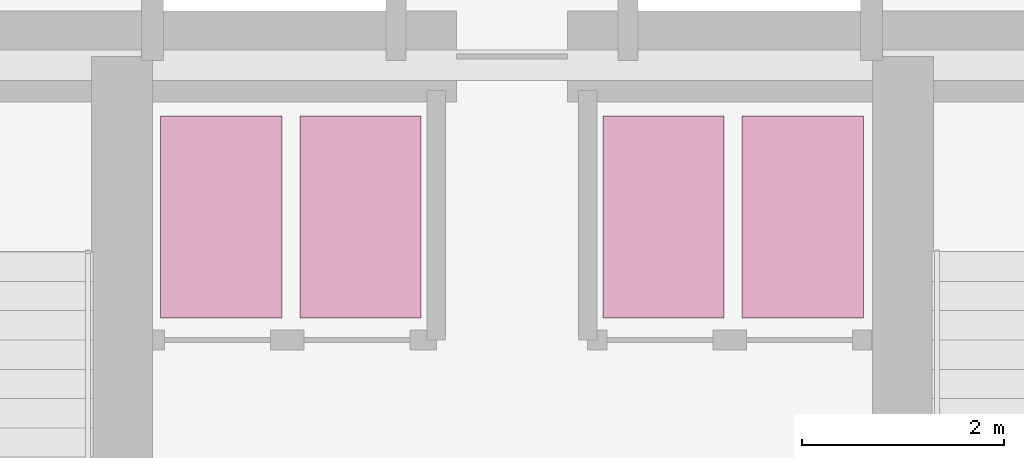
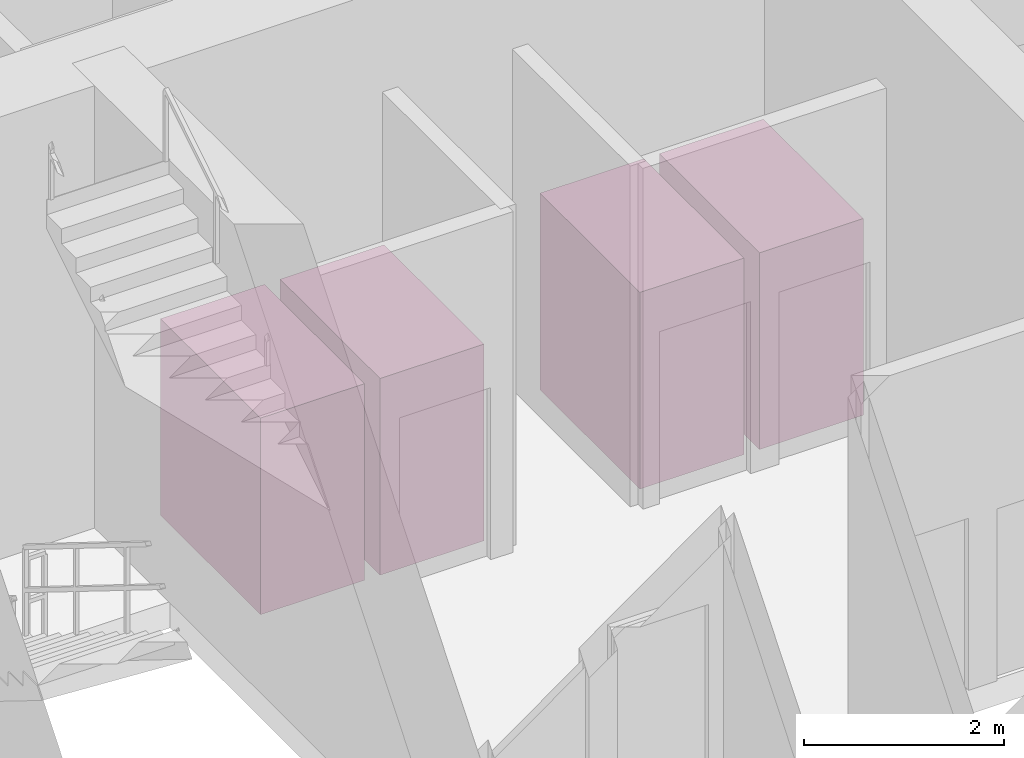
# One storey, part 11 of 11: 4 transport elements.
"""IFC4 building model written with IfcOpenShell, lengths in metres."""

import ifcopenshell
import ifcopenshell.guid

model = None  # the IFC model being written
_history = None  # IfcOwnerHistory: only IFC2X3 demands one
_inside = {}  # id of a spatial element -> (the spatial element, [elements in it])
_under = {}  # id of a project, library or spatial element -> (it, [spatial elements below it])
_declared = {}  # id of a project -> (the project, [libraries it declares])
_typed = {}  # id of a type object -> (the type object, [elements of that type])
_made_of = {}  # id of a material, layer set ... -> (it, [elements and type objects made of it])


def new_model(schema):
    """Start an empty IFC model of exactly this schema.

    Asked for "IFC4X3", IfcOpenShell would pick the latest addendum, in which some entities
    have other attributes; the version numbers below select the first issue.
    IFC2X3 requires an IfcOwnerHistory on every rooted entity: one is made here for all.
    """
    global model, _history
    if schema == "IFC4X3":
        model = ifcopenshell.file(schema_version=(4, 3, 0, 0))
    else:
        model = ifcopenshell.file(schema=schema)
    _inside.clear()
    _under.clear()
    _declared.clear()
    _typed.clear()
    _made_of.clear()
    _history = None
    if model.schema == "IFC2X3":
        org = make("IfcOrganization", Name="unknown")
        user = make(
            "IfcPersonAndOrganization",
            ThePerson=make("IfcPerson", FamilyName="unknown"),
            TheOrganization=org,
        )
        app = make(
            "IfcApplication",
            ApplicationDeveloper=org,
            Version="unknown",
            ApplicationFullName="unknown",
            ApplicationIdentifier="unknown",
        )
        _history = make(
            "IfcOwnerHistory",
            OwningUser=user,
            OwningApplication=app,
            ChangeAction="ADDED",
            CreationDate=0,
        )
    return model


def make(cls, **values):
    """One entity of the class cls with the attributes given. An attribute that is None is left unset."""
    return model.create_entity(
        cls, **{name: value for name, value in values.items() if value is not None}
    )


def rooted(cls, **values):
    """An entity with a GlobalId (a new one), such as an element, a storey or a relation."""
    return make(cls, GlobalId=ifcopenshell.guid.new(), OwnerHistory=_history, **values)


def si_unit(unit_type, name, prefix=None):
    """IfcSIUnit, for example si_unit("LENGTHUNIT", "METRE", prefix="MILLI")."""
    return make("IfcSIUnit", UnitType=unit_type, Prefix=prefix, Name=name)


def assignment(units):
    """IfcUnitAssignment: the units of a project."""
    return None if units is None else make("IfcUnitAssignment", Units=units)


def point(xyz):
    """IfcCartesianPoint."""
    return None if xyz is None else make("IfcCartesianPoint", Coordinates=xyz)


def direction(xyz):
    """IfcDirection."""
    return None if xyz is None else make("IfcDirection", DirectionRatios=xyz)


def frame(location, z_axis=None, x_axis=None):
    """IfcAxis2Placement3D, a coordinate frame: its origin and axes. An axis left out is left unset."""
    return make(
        "IfcAxis2Placement3D",
        Location=point(location),
        Axis=direction(z_axis),
        RefDirection=direction(x_axis),
    )


def frame_2d(location, x_axis=None):
    """IfcAxis2Placement2D, a coordinate frame in the plane: its origin and x axis."""
    return make(
        "IfcAxis2Placement2D", Location=point(location), RefDirection=direction(x_axis)
    )


def origin():
    """The frame at (0, 0, 0) with its axes left unset."""
    return frame((0.0, 0.0, 0.0))


def origin_2d():
    """The frame at (0, 0) in the plane with its x axis left unset."""
    return frame_2d((0.0, 0.0))


def place(relative_to, where):
    """IfcLocalPlacement: puts the frame where relative to a parent placement (None: the world)."""
    return make(
        "IfcLocalPlacement", PlacementRelTo=relative_to, RelativePlacement=where
    )


def context(
    kind, dimensions, precision=None, world=None, true_north=None, identifier=None
):
    """IfcGeometricRepresentationContext, for example the 3D "Model" context."""
    return make(
        "IfcGeometricRepresentationContext",
        ContextIdentifier=identifier,
        ContextType=kind,
        CoordinateSpaceDimension=dimensions,
        Precision=precision,
        WorldCoordinateSystem=world,
        TrueNorth=true_north,
    )


def subcontext(parent, identifier, kind, view, scale=None):
    """IfcGeometricRepresentationSubContext, for example "Body" below "Model"."""
    return make(
        "IfcGeometricRepresentationSubContext",
        ContextIdentifier=identifier,
        ContextType=kind,
        ParentContext=parent,
        TargetScale=scale,
        TargetView=view,
    )


def project(units=None, contexts=None):
    """IfcProject with its units and contexts."""
    return rooted(
        "IfcProject",
        Name="project",
        RepresentationContexts=contexts,
        UnitsInContext=assignment(units),
    )


def spatial(cls, under=None, at=None, **own):
    """A site, building, storey or space (cls), placed at a placement, below another one or the project."""
    s = rooted(cls, ObjectPlacement=at, **own)
    if under is not None:
        _under.setdefault(under.id(), (under, []))[1].append(s)
    return s


def profile(cls, at=None, kind="AREA", **sizes):
    """A parametric profile (cls). Its sizes go by their IFC names, for example OverallWidth=200.0."""
    return make(cls, ProfileType=kind, Position=at, **sizes)


def rectangle(**sizes):
    """IfcRectangleProfileDef."""
    return profile("IfcRectangleProfileDef", **sizes)


def extrude(swept, where, along, depth):
    """IfcExtrudedAreaSolid: the profile swept, set in the frame where, extruded along a direction by depth."""
    return make(
        "IfcExtrudedAreaSolid",
        SweptArea=swept,
        Position=where,
        ExtrudedDirection=direction(along),
        Depth=depth,
    )


def shape(context_of_items, identifier, shape_type, items):
    """IfcShapeRepresentation: the items that make up one representation, for example the "Body"."""
    return make(
        "IfcShapeRepresentation",
        ContextOfItems=context_of_items,
        RepresentationIdentifier=identifier,
        RepresentationType=shape_type,
        Items=items,
    )


def material(Name=None, Category=None):
    """IfcMaterial."""
    return make("IfcMaterial", Name=Name, Category=Category)


def made_of(thing, what):
    """Note that an element or type object is made of a material, layer set ...; save() writes the relation."""
    if what is not None:
        _made_of.setdefault(what.id(), (what, []))[1].append(thing)
    return thing


def type_object(cls, material=None, **own):
    """A type object (cls), such as IfcWallType, which elements share."""
    return made_of(rooted(cls, **own), material)


def element(
    cls,
    number,
    at=None,
    inside=None,
    cuts=None,
    type_object=None,
    material=None,
    context=None,
    identifier="Body",
    shape_type=None,
    held_by="IfcProductDefinitionShape",
    body=None,
    shapes=None,
    **own,
):
    """One element of the class cls, such as IfcWall. Its Tag is "e" and its number.

    at: its placement. inside: the storey or other place that contains it. cuts: it is an
    opening in that element (IfcRelVoidsElement). A single representation is given by context,
    identifier, shape_type and body (its items); several are given by shapes. held_by: the class
    of the entity that holds the representations. save() writes the other relations.
    """
    e = rooted(cls, Tag="e%d" % number, ObjectPlacement=at, **own)
    if body is not None:
        shapes = [shape(context, identifier, shape_type, body)]
    if shapes is not None:
        e.Representation = make(held_by, Representations=shapes)
    if inside is not None:
        _inside.setdefault(inside.id(), (inside, []))[1].append(e)
    if cuts is not None:
        rooted(
            "IfcRelVoidsElement", RelatingBuildingElement=cuts, RelatedOpeningElement=e
        )
    if type_object is not None:
        _typed.setdefault(type_object.id(), (type_object, []))[1].append(e)
    return made_of(e, material)


def aggregate(whole, parts):
    """IfcRelAggregates: a whole, such as a stair, and the parts it consists of."""
    return rooted("IfcRelAggregates", RelatingObject=whole, RelatedObjects=parts)


def save(model, path):
    """Write the relations noted so far, then the file.

    IfcRelAggregates (storeys below a building ...), IfcRelContainedInSpatialStructure (elements
    in a storey), IfcRelDefinesByType, IfcRelAssociatesMaterial and IfcRelDeclares: one each for
    every whole, place, type object, material and project.
    """
    for whole, parts in _under.values():
        aggregate(whole, parts)
    for where, things in _inside.values():
        rooted(
            "IfcRelContainedInSpatialStructure",
            RelatedElements=things,
            RelatingStructure=where,
        )
    for kind, things in _typed.values():
        rooted("IfcRelDefinesByType", RelatedObjects=things, RelatingType=kind)
    for what, things in _made_of.values():
        rooted("IfcRelAssociatesMaterial", RelatedObjects=things, RelatingMaterial=what)
    for by, libraries in _declared.values():
        rooted("IfcRelDeclares", RelatingContext=by, RelatedDefinitions=libraries)
    model.write(path)


model = new_model("IFC4")

# Units and contexts
model_context = context("Model", 3, precision=1e-05, world=origin(), true_north=direction((0.0, 1.0)))
body_context = subcontext(model_context, "Body", "Model", "MODEL_VIEW")
ifc_project = project(units=[si_unit("LENGTHUNIT", "METRE"), si_unit("AREAUNIT", "SQUARE_METRE"), si_unit("VOLUMEUNIT", "CUBIC_METRE"), si_unit("PLANEANGLEUNIT", "RADIAN"), si_unit("MASSUNIT", "GRAM", prefix="KILO"), si_unit("THERMODYNAMICTEMPERATUREUNIT", "KELVIN"), si_unit("POWERUNIT", "WATT")], contexts=[model_context])

# Site, building, storey
site_placement = place(None, origin())
site = spatial("IfcSite", under=ifc_project, at=site_placement, CompositionType="ELEMENT")
building_placement = place(site_placement, origin())
building = spatial("IfcBuilding", under=site, at=building_placement, Name="Ocrelia Relay Tower", CompositionType="ELEMENT")
storey_placement = place(building_placement, origin())
storey = spatial("IfcBuildingStorey", under=building, at=storey_placement, Name="L00", CompositionType="ELEMENT", Elevation=0.0)

# Transport elements
ifc_material = material(Name="Stainless steel elevator cab", Category="steel")
transport_element_type = type_object("IfcTransportElementType", Name="LIFT-PASS-1800", PredefinedType="ELEVATOR", material=ifc_material)
for number, where, z_axis, x_axis, name in (
    (1, (31.1201171875, 28.5, 0.0), (0.0, 0.0, 1.0), (1.0, 0.0, 0.0), "Passenger Lift PL5 Car"),
    (2, (32.5, 28.5, 0.0), (0.0, 0.0, 1.0), (1.0, 0.0, 0.0), "Passenger Lift PL6 Car"),
    (3, (35.5, 28.5, 0.0), (0.0, 0.0, 1.0), (1.0, 0.0, 0.0), "Passenger Lift PL7 Car"),
    (4, (36.8798828125, 28.5, 0.0), (0.0, 0.0, 1.0), (1.0, 0.0, 0.0), "Passenger Lift PL8 Car"),
):
    element("IfcTransportElement", number, at=place(storey_placement, frame(where, z_axis=z_axis, x_axis=x_axis)), inside=storey, type_object=transport_element_type, Name=name, PredefinedType="ELEVATOR", context=body_context, shape_type="SweptSolid", body=[
        extrude(rectangle(XDim=1.199951171875, YDim=2.0, at=origin_2d()), origin(), (0.0, 0.0, 1.0), 2.39990234375),
    ])

save(model, "model.ifc")
